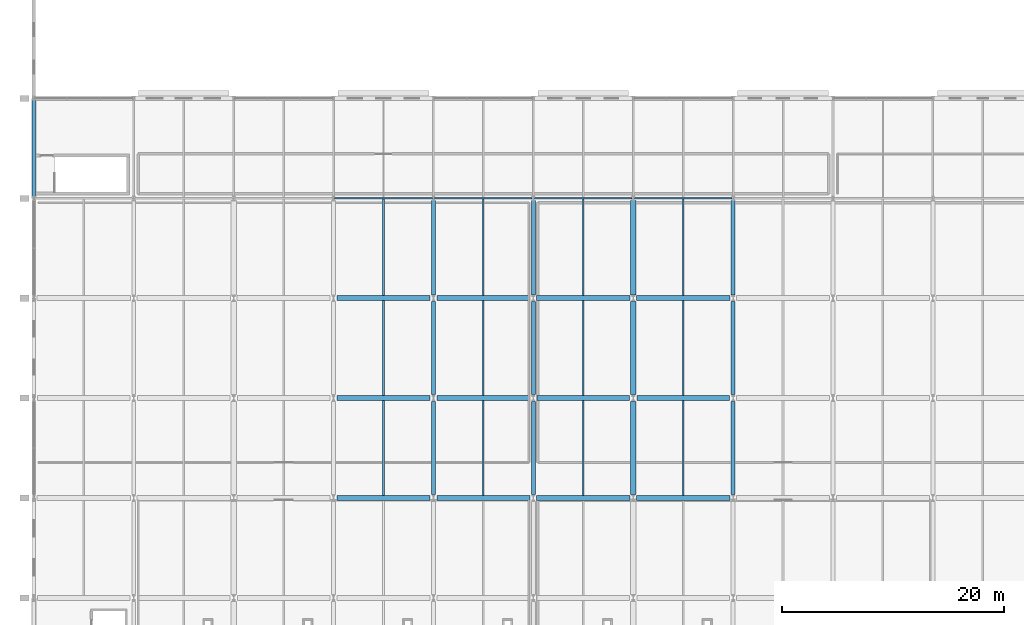
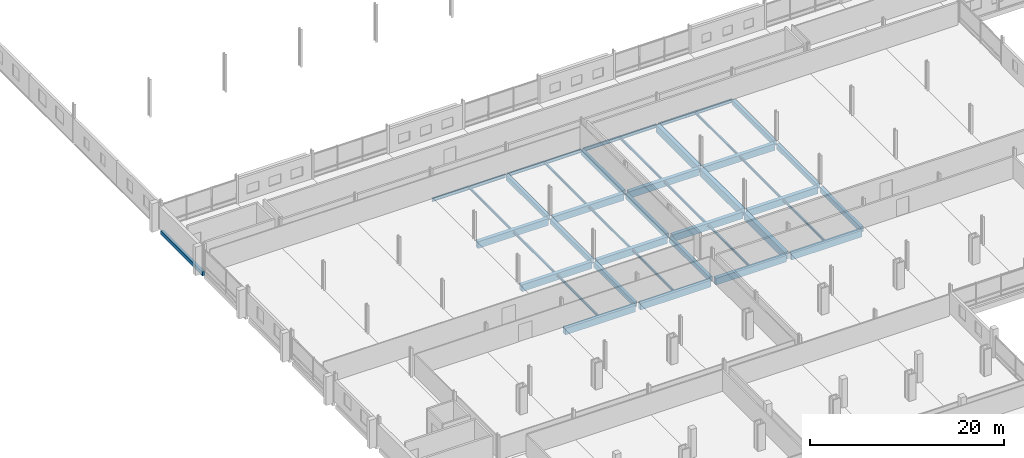
# One storey, part 46 of 132: 41 beams.
"""IFC4 building model written with IfcOpenShell, lengths in metres."""

import ifcopenshell
import ifcopenshell.guid

model = None  # the IFC model being written
_history = None  # IfcOwnerHistory: only IFC2X3 demands one
_inside = {}  # id of a spatial element -> (the spatial element, [elements in it])
_under = {}  # id of a project, library or spatial element -> (it, [spatial elements below it])
_declared = {}  # id of a project -> (the project, [libraries it declares])
_typed = {}  # id of a type object -> (the type object, [elements of that type])
_made_of = {}  # id of a material, layer set ... -> (it, [elements and type objects made of it])


def new_model(schema):
    """Start an empty IFC model of exactly this schema.

    Asked for "IFC4X3", IfcOpenShell would pick the latest addendum, in which some entities
    have other attributes; the version numbers below select the first issue.
    IFC2X3 requires an IfcOwnerHistory on every rooted entity: one is made here for all.
    """
    global model, _history
    if schema == "IFC4X3":
        model = ifcopenshell.file(schema_version=(4, 3, 0, 0))
    else:
        model = ifcopenshell.file(schema=schema)
    _inside.clear()
    _under.clear()
    _declared.clear()
    _typed.clear()
    _made_of.clear()
    _history = None
    if model.schema == "IFC2X3":
        org = make("IfcOrganization", Name="unknown")
        user = make(
            "IfcPersonAndOrganization",
            ThePerson=make("IfcPerson", FamilyName="unknown"),
            TheOrganization=org,
        )
        app = make(
            "IfcApplication",
            ApplicationDeveloper=org,
            Version="unknown",
            ApplicationFullName="unknown",
            ApplicationIdentifier="unknown",
        )
        _history = make(
            "IfcOwnerHistory",
            OwningUser=user,
            OwningApplication=app,
            ChangeAction="ADDED",
            CreationDate=0,
        )
    return model


def make(cls, **values):
    """One entity of the class cls with the attributes given. An attribute that is None is left unset."""
    return model.create_entity(
        cls, **{name: value for name, value in values.items() if value is not None}
    )


def rooted(cls, **values):
    """An entity with a GlobalId (a new one), such as an element, a storey or a relation."""
    return make(cls, GlobalId=ifcopenshell.guid.new(), OwnerHistory=_history, **values)


def si_unit(unit_type, name, prefix=None):
    """IfcSIUnit, for example si_unit("LENGTHUNIT", "METRE", prefix="MILLI")."""
    return make("IfcSIUnit", UnitType=unit_type, Prefix=prefix, Name=name)


def assignment(units):
    """IfcUnitAssignment: the units of a project."""
    return None if units is None else make("IfcUnitAssignment", Units=units)


def point(xyz):
    """IfcCartesianPoint."""
    return None if xyz is None else make("IfcCartesianPoint", Coordinates=xyz)


def direction(xyz):
    """IfcDirection."""
    return None if xyz is None else make("IfcDirection", DirectionRatios=xyz)


def frame(location, z_axis=None, x_axis=None):
    """IfcAxis2Placement3D, a coordinate frame: its origin and axes. An axis left out is left unset."""
    return make(
        "IfcAxis2Placement3D",
        Location=point(location),
        Axis=direction(z_axis),
        RefDirection=direction(x_axis),
    )


def frame_2d(location, x_axis=None):
    """IfcAxis2Placement2D, a coordinate frame in the plane: its origin and x axis."""
    return make(
        "IfcAxis2Placement2D", Location=point(location), RefDirection=direction(x_axis)
    )


def origin():
    """The frame at (0, 0, 0) with its axes left unset."""
    return frame((0.0, 0.0, 0.0))


def origin_2d():
    """The frame at (0, 0) in the plane with its x axis left unset."""
    return frame_2d((0.0, 0.0))


def place(relative_to, where):
    """IfcLocalPlacement: puts the frame where relative to a parent placement (None: the world)."""
    return make(
        "IfcLocalPlacement", PlacementRelTo=relative_to, RelativePlacement=where
    )


def context(
    kind, dimensions, precision=None, world=None, true_north=None, identifier=None
):
    """IfcGeometricRepresentationContext, for example the 3D "Model" context."""
    return make(
        "IfcGeometricRepresentationContext",
        ContextIdentifier=identifier,
        ContextType=kind,
        CoordinateSpaceDimension=dimensions,
        Precision=precision,
        WorldCoordinateSystem=world,
        TrueNorth=true_north,
    )


def subcontext(parent, identifier, kind, view, scale=None):
    """IfcGeometricRepresentationSubContext, for example "Body" below "Model"."""
    return make(
        "IfcGeometricRepresentationSubContext",
        ContextIdentifier=identifier,
        ContextType=kind,
        ParentContext=parent,
        TargetScale=scale,
        TargetView=view,
    )


def project(units=None, contexts=None):
    """IfcProject with its units and contexts."""
    return rooted(
        "IfcProject",
        Name="project",
        RepresentationContexts=contexts,
        UnitsInContext=assignment(units),
    )


def spatial(cls, under=None, at=None, **own):
    """A site, building, storey or space (cls), placed at a placement, below another one or the project."""
    s = rooted(cls, ObjectPlacement=at, **own)
    if under is not None:
        _under.setdefault(under.id(), (under, []))[1].append(s)
    return s


def profile(cls, at=None, kind="AREA", **sizes):
    """A parametric profile (cls). Its sizes go by their IFC names, for example OverallWidth=200.0."""
    return make(cls, ProfileType=kind, Position=at, **sizes)


def rectangle(**sizes):
    """IfcRectangleProfileDef."""
    return profile("IfcRectangleProfileDef", **sizes)


def i_section(**sizes):
    """IfcIShapeProfileDef."""
    return profile("IfcIShapeProfileDef", **sizes)


def extrude(swept, where, along, depth):
    """IfcExtrudedAreaSolid: the profile swept, set in the frame where, extruded along a direction by depth."""
    return make(
        "IfcExtrudedAreaSolid",
        SweptArea=swept,
        Position=where,
        ExtrudedDirection=direction(along),
        Depth=depth,
    )


def shape(context_of_items, identifier, shape_type, items):
    """IfcShapeRepresentation: the items that make up one representation, for example the "Body"."""
    return make(
        "IfcShapeRepresentation",
        ContextOfItems=context_of_items,
        RepresentationIdentifier=identifier,
        RepresentationType=shape_type,
        Items=items,
    )


def material(Name=None, Category=None):
    """IfcMaterial."""
    return make("IfcMaterial", Name=Name, Category=Category)


def material_profile(
    of_material, cross_section, Name=None, Category=None, Priority=None
):
    """IfcMaterialProfile: a cross section and its material."""
    return make(
        "IfcMaterialProfile",
        Name=Name,
        Material=of_material,
        Profile=cross_section,
        Priority=Priority,
        Category=Category,
    )


def profile_set(profiles, Name=None, composite=None):
    """IfcMaterialProfileSet."""
    return make(
        "IfcMaterialProfileSet",
        Name=Name,
        MaterialProfiles=profiles,
        CompositeProfile=composite,
    )


def made_of(thing, what):
    """Note that an element or type object is made of a material, layer set ...; save() writes the relation."""
    if what is not None:
        _made_of.setdefault(what.id(), (what, []))[1].append(thing)
    return thing


def type_object(cls, material=None, **own):
    """A type object (cls), such as IfcWallType, which elements share."""
    return made_of(rooted(cls, **own), material)


def element(
    cls,
    number,
    at=None,
    inside=None,
    cuts=None,
    type_object=None,
    material=None,
    context=None,
    identifier="Body",
    shape_type=None,
    held_by="IfcProductDefinitionShape",
    body=None,
    shapes=None,
    **own,
):
    """One element of the class cls, such as IfcWall. Its Tag is "e" and its number.

    at: its placement. inside: the storey or other place that contains it. cuts: it is an
    opening in that element (IfcRelVoidsElement). A single representation is given by context,
    identifier, shape_type and body (its items); several are given by shapes. held_by: the class
    of the entity that holds the representations. save() writes the other relations.
    """
    e = rooted(cls, Tag="e%d" % number, ObjectPlacement=at, **own)
    if body is not None:
        shapes = [shape(context, identifier, shape_type, body)]
    if shapes is not None:
        e.Representation = make(held_by, Representations=shapes)
    if inside is not None:
        _inside.setdefault(inside.id(), (inside, []))[1].append(e)
    if cuts is not None:
        rooted(
            "IfcRelVoidsElement", RelatingBuildingElement=cuts, RelatedOpeningElement=e
        )
    if type_object is not None:
        _typed.setdefault(type_object.id(), (type_object, []))[1].append(e)
    return made_of(e, material)


def aggregate(whole, parts):
    """IfcRelAggregates: a whole, such as a stair, and the parts it consists of."""
    return rooted("IfcRelAggregates", RelatingObject=whole, RelatedObjects=parts)


def save(model, path):
    """Write the relations noted so far, then the file.

    IfcRelAggregates (storeys below a building ...), IfcRelContainedInSpatialStructure (elements
    in a storey), IfcRelDefinesByType, IfcRelAssociatesMaterial and IfcRelDeclares: one each for
    every whole, place, type object, material and project.
    """
    for whole, parts in _under.values():
        aggregate(whole, parts)
    for where, things in _inside.values():
        rooted(
            "IfcRelContainedInSpatialStructure",
            RelatedElements=things,
            RelatingStructure=where,
        )
    for kind, things in _typed.values():
        rooted("IfcRelDefinesByType", RelatedObjects=things, RelatingType=kind)
    for what, things in _made_of.values():
        rooted("IfcRelAssociatesMaterial", RelatedObjects=things, RelatingMaterial=what)
    for by, libraries in _declared.values():
        rooted("IfcRelDeclares", RelatingContext=by, RelatedDefinitions=libraries)
    model.write(path)


model = new_model("IFC4")

# Units and contexts
model_context = context("Model", 3, precision=1e-05, world=origin(), true_north=direction((0.0, 1.0)))
body_context = subcontext(model_context, "Body", "Model", "MODEL_VIEW")
ifc_project = project(units=[si_unit("LENGTHUNIT", "METRE"), si_unit("AREAUNIT", "SQUARE_METRE"), si_unit("VOLUMEUNIT", "CUBIC_METRE"), si_unit("PLANEANGLEUNIT", "RADIAN"), si_unit("MASSUNIT", "GRAM", prefix="KILO")], contexts=[model_context])

# Site, building, storey
site_placement = place(None, origin())
site = spatial("IfcSite", under=ifc_project, at=site_placement, CompositionType="ELEMENT")
building_placement = place(site_placement, origin())
building = spatial("IfcBuilding", under=site, at=building_placement, Name="Tharagai Park Tramway Depot", CompositionType="ELEMENT")
storey_placement = place(building_placement, frame((0.0, 0.0, 4.800048828125)))
storey = spatial("IfcBuildingStorey", under=building, at=storey_placement, Name="L01", CompositionType="ELEMENT", Elevation=4.800048828125)

# Beams
ifc_material_1 = material(Name="Steel E350", Category="steel")
ifc_material_profile_1 = material_profile(ifc_material_1, i_section(OverallWidth=0.14990234375, OverallDepth=0.449951171875, WebThickness=0.009521484375, FlangeThickness=0.017333984375, FilletRadius=0.014892578125, at=origin_2d()), Name="ISMB 450")
ifc_profile_set_1 = profile_set([ifc_material_profile_1], Name="Steel E350")
beam_type_1 = type_object("IfcBeamType", Name="BM-02", PredefinedType="BEAM", material=ifc_profile_set_1)
for number, where, z_axis, x_axis, name in (
    (1, (27.10009765625, 90.0, -0.505126953125), (1.0, 0.0, 0.0), (0.0, 1.0, 0.0), "L01 Grid Beam BM-02"),
    (2, (36.10009765625, 90.0, -0.505126953125), (1.0, 0.0, 0.0), (0.0, 1.0, 0.0), "L01 Grid Beam BM-02"),
    (3, (45.10009765625, 90.0, -0.505126953125), (1.0, 0.0, 0.0), (0.0, 1.0, 0.0), "L01 Grid Beam BM-02"),
    (4, (54.10009765625, 90.0, -0.505126953125), (1.0, 0.0, 0.0), (0.0, 1.0, 0.0), "L01 Grid Beam BM-02"),
):
    element("IfcBeam", number, at=place(storey_placement, frame(where, z_axis=z_axis, x_axis=x_axis)), inside=storey, type_object=beam_type_1, Name=name, PredefinedType="BEAM", context=body_context, shape_type="SweptSolid", body=[
        extrude(i_section(OverallWidth=0.14990234375, OverallDepth=0.449951171875, WebThickness=0.009521484375, FlangeThickness=0.017333984375, FilletRadius=0.014892578125, at=origin_2d()), origin(), (0.0, 0.0, 1.0), 8.7998046875),
    ])
ifc_material_2 = material(Name="Concrete M35", Category="concrete")
ifc_material_profile_2 = material_profile(ifc_material_2, rectangle(XDim=0.449951171875, YDim=0.85009765625, at=origin_2d()), Name="RC 450x850")
ifc_profile_set_2 = profile_set([ifc_material_profile_2], Name="Concrete M35")
beam_type_2 = type_object("IfcBeamType", Name="BM-03", PredefinedType="BEAM", material=ifc_profile_set_2)
for number, where, z_axis, x_axis, name in (
    (5, (27.300048828125, 63.0, -0.705078125), (1.0, 0.0, 0.0), (0.0, 1.0, 0.0), "L01 Grid Beam BM-03"),
    (6, (36.300048828125, 63.0, -0.705078125), (1.0, 0.0, 0.0), (0.0, 1.0, 0.0), "L01 Grid Beam BM-03"),
    (7, (45.300048828125, 63.0, -0.705078125), (1.0, 0.0, 0.0), (0.0, 1.0, 0.0), "L01 Grid Beam BM-03"),
    (8, (54.300048828125, 63.0, -0.705078125), (1.0, 0.0, 0.0), (0.0, 1.0, 0.0), "L01 Grid Beam BM-03"),
):
    element("IfcBeam", number, at=place(storey_placement, frame(where, z_axis=z_axis, x_axis=x_axis)), inside=storey, type_object=beam_type_2, Name=name, PredefinedType="BEAM", context=body_context, shape_type="SweptSolid", body=[
        extrude(rectangle(XDim=0.449951171875, YDim=0.85009765625, at=origin_2d()), origin(), (0.0, 0.0, 1.0), 8.39990234375),
    ])
for number, where, z_axis, x_axis, name in (
    (9, (27.324951171875, 72.0, -0.705078125), (1.0, 0.0, 0.0), (0.0, 1.0, 0.0), "L01 Grid Beam BM-03"),
    (10, (36.324951171875, 72.0, -0.705078125), (1.0, 0.0, 0.0), (0.0, 1.0, 0.0), "L01 Grid Beam BM-03"),
    (11, (45.324951171875, 72.0, -0.705078125), (1.0, 0.0, 0.0), (0.0, 1.0, 0.0), "L01 Grid Beam BM-03"),
    (12, (54.324951171875, 72.0, -0.705078125), (1.0, 0.0, 0.0), (0.0, 1.0, 0.0), "L01 Grid Beam BM-03"),
):
    element("IfcBeam", number, at=place(storey_placement, frame(where, z_axis=z_axis, x_axis=x_axis)), inside=storey, type_object=beam_type_2, Name=name, PredefinedType="BEAM", context=body_context, shape_type="SweptSolid", body=[
        extrude(rectangle(XDim=0.449951171875, YDim=0.85009765625, at=origin_2d()), origin(), (0.0, 0.0, 1.0), 8.35009765625),
    ])
for number, where, z_axis, x_axis, name in (
    (13, (27.300048828125, 81.0, -0.705078125), (1.0, 0.0, 0.0), (0.0, 1.0, 0.0), "L01 Grid Beam BM-03"),
    (14, (36.300048828125, 81.0, -0.705078125), (1.0, 0.0, 0.0), (0.0, 1.0, 0.0), "L01 Grid Beam BM-03"),
    (15, (45.300048828125, 81.0, -0.705078125), (1.0, 0.0, 0.0), (0.0, 1.0, 0.0), "L01 Grid Beam BM-03"),
    (16, (54.300048828125, 81.0, -0.705078125), (1.0, 0.0, 0.0), (0.0, 1.0, 0.0), "L01 Grid Beam BM-03"),
):
    element("IfcBeam", number, at=place(storey_placement, frame(where, z_axis=z_axis, x_axis=x_axis)), inside=storey, type_object=beam_type_2, Name=name, PredefinedType="BEAM", context=body_context, shape_type="SweptSolid", body=[
        extrude(rectangle(XDim=0.449951171875, YDim=0.85009765625, at=origin_2d()), origin(), (0.0, 0.0, 1.0), 8.39990234375),
    ])
ifc_material_3 = material(Name="Concrete M40", Category="concrete")
ifc_material_profile_3 = material_profile(ifc_material_3, rectangle(XDim=0.5, YDim=0.949951171875, at=origin_2d()), Name="RC 500x950")
ifc_profile_set_3 = profile_set([ifc_material_profile_3], Name="Concrete M40")
beam_type_3 = type_object("IfcBeamType", Name="BM-07", PredefinedType="BEAM", material=ifc_profile_set_3)
for number, where, z_axis, x_axis, name in (
    (17, (54.0, 63.300048828125, -0.755126953125), (0.0, 1.0, 0.0), (-1.0, 0.0, 0.0), "L01 Grid Beam BM-07"),
    (18, (54.0, 72.324951171875, -0.755126953125), (0.0, 1.0, 0.0), (-1.0, 0.0, 0.0), "L01 Grid Beam BM-07"),
):
    element("IfcBeam", number, at=place(storey_placement, frame(where, z_axis=z_axis, x_axis=x_axis)), inside=storey, type_object=beam_type_3, Name=name, PredefinedType="BEAM", context=body_context, shape_type="SweptSolid", body=[
        extrude(rectangle(XDim=0.5, YDim=0.949951171875, at=origin_2d()), origin(), (0.0, 0.0, 1.0), 8.375),
    ])
beam_1_placement = place(storey_placement, frame((54.0, 81.300048828125, -0.755126953125), z_axis=(0.0, 1.0, 0.0), x_axis=(-1.0, 0.0, 0.0)))
element("IfcBeam", 19, at=beam_1_placement, inside=storey, type_object=beam_type_3, Name="L01 Grid Beam BM-07", PredefinedType="BEAM", context=body_context, shape_type="SweptSolid", body=[
    extrude(rectangle(XDim=0.5, YDim=0.949951171875, at=origin_2d()), origin(), (0.0, 0.0, 1.0), 8.52490234375),
])
ifc_material_profile_4 = material_profile(ifc_material_2, rectangle(XDim=0.35009765625, YDim=0.64990234375, at=origin_2d()), Name="RC 350x650")
ifc_profile_set_4 = profile_set([ifc_material_profile_4], Name="Concrete M35")
beam_type_4 = type_object("IfcBeamType", Name="BM-13", PredefinedType="BEAM", material=ifc_profile_set_4)
for number, where, z_axis, x_axis, name in (
    (20, (36.0, 63.300048828125, -0.60498046875), (0.0, 1.0, 0.0), (-1.0, 0.0, 0.0), "L01 Grid Beam BM-13"),
    (21, (36.0, 72.324951171875, -0.60498046875), (0.0, 1.0, 0.0), (-1.0, 0.0, 0.0), "L01 Grid Beam BM-13"),
):
    element("IfcBeam", number, at=place(storey_placement, frame(where, z_axis=z_axis, x_axis=x_axis)), inside=storey, type_object=beam_type_4, Name=name, PredefinedType="BEAM", context=body_context, shape_type="SweptSolid", body=[
        extrude(rectangle(XDim=0.35009765625, YDim=0.64990234375, at=origin_2d()), origin(), (0.0, 0.0, 1.0), 8.375),
    ])
beam_2_placement = place(storey_placement, frame((36.0, 81.300048828125, -0.60498046875), z_axis=(0.0, 1.0, 0.0), x_axis=(-1.0, 0.0, 0.0)))
element("IfcBeam", 22, at=beam_2_placement, inside=storey, type_object=beam_type_4, Name="L01 Grid Beam BM-13", PredefinedType="BEAM", context=body_context, shape_type="SweptSolid", body=[
    extrude(rectangle(XDim=0.35009765625, YDim=0.64990234375, at=origin_2d()), origin(), (0.0, 0.0, 1.0), 8.52490234375),
])
for number, where, z_axis, x_axis, name in (
    (23, (45.0, 63.300048828125, -0.60498046875), (0.0, 1.0, 0.0), (-1.0, 0.0, 0.0), "L01 Grid Beam BM-13"),
    (24, (45.0, 72.324951171875, -0.60498046875), (0.0, 1.0, 0.0), (-1.0, 0.0, 0.0), "L01 Grid Beam BM-13"),
):
    element("IfcBeam", number, at=place(storey_placement, frame(where, z_axis=z_axis, x_axis=x_axis)), inside=storey, type_object=beam_type_4, Name=name, PredefinedType="BEAM", context=body_context, shape_type="SweptSolid", body=[
        extrude(rectangle(XDim=0.35009765625, YDim=0.64990234375, at=origin_2d()), origin(), (0.0, 0.0, 1.0), 8.375),
    ])
beam_3_placement = place(storey_placement, frame((45.0, 81.300048828125, -0.60498046875), z_axis=(0.0, 1.0, 0.0), x_axis=(-1.0, 0.0, 0.0)))
element("IfcBeam", 25, at=beam_3_placement, inside=storey, type_object=beam_type_4, Name="L01 Grid Beam BM-13", PredefinedType="BEAM", context=body_context, shape_type="SweptSolid", body=[
    extrude(rectangle(XDim=0.35009765625, YDim=0.64990234375, at=origin_2d()), origin(), (0.0, 0.0, 1.0), 8.52490234375),
])
for number, where, z_axis, x_axis, name in (
    (26, (63.0, 63.300048828125, -0.60498046875), (0.0, 1.0, 0.0), (-1.0, 0.0, 0.0), "L01 Grid Beam BM-13"),
    (27, (63.0, 72.324951171875, -0.60498046875), (0.0, 1.0, 0.0), (-1.0, 0.0, 0.0), "L01 Grid Beam BM-13"),
):
    element("IfcBeam", number, at=place(storey_placement, frame(where, z_axis=z_axis, x_axis=x_axis)), inside=storey, type_object=beam_type_4, Name=name, PredefinedType="BEAM", context=body_context, shape_type="SweptSolid", body=[
        extrude(rectangle(XDim=0.35009765625, YDim=0.64990234375, at=origin_2d()), origin(), (0.0, 0.0, 1.0), 8.375),
    ])
beam_4_placement = place(storey_placement, frame((63.0, 81.300048828125, -0.60498046875), z_axis=(0.0, 1.0, 0.0), x_axis=(-1.0, 0.0, 0.0)))
element("IfcBeam", 28, at=beam_4_placement, inside=storey, type_object=beam_type_4, Name="L01 Grid Beam BM-13", PredefinedType="BEAM", context=body_context, shape_type="SweptSolid", body=[
    extrude(rectangle(XDim=0.35009765625, YDim=0.64990234375, at=origin_2d()), origin(), (0.0, 0.0, 1.0), 8.52490234375),
])
ifc_material_profile_5 = material_profile(ifc_material_1, i_section(OverallWidth=0.139892578125, OverallDepth=0.300048828125, WebThickness=0.0078125, FlangeThickness=0.01318359375, FilletRadius=0.013916015625, at=origin_2d()), Name="ISMB 300")
ifc_profile_set_5 = profile_set([ifc_material_profile_5], Name="Steel E350")
beam_type_5 = type_object("IfcBeamType", Name="JT-03", PredefinedType="JOIST", material=ifc_profile_set_5)
for number, where, z_axis, x_axis, name in (
    (29, (40.5, 63.22509765625, -0.429931640625), (0.0, 1.0, 0.0), (-1.0, 0.0, 0.0), "L01 Secondary Joist JT-03"),
    (30, (40.5, 72.22509765625, -0.429931640625), (0.0, 1.0, 0.0), (-1.0, 0.0, 0.0), "L01 Secondary Joist JT-03"),
):
    element("IfcBeam", number, at=place(storey_placement, frame(where, z_axis=z_axis, x_axis=x_axis)), inside=storey, type_object=beam_type_5, Name=name, PredefinedType="JOIST", context=body_context, shape_type="SweptSolid", body=[
        extrude(i_section(OverallWidth=0.139892578125, OverallDepth=0.300048828125, WebThickness=0.0078125, FlangeThickness=0.01318359375, FilletRadius=0.013916015625, at=origin_2d()), origin(), (0.0, 0.0, 1.0), 8.5498046875),
    ])
beam_5_placement = place(storey_placement, frame((40.5, 81.22509765625, -0.429931640625), z_axis=(0.0, 1.0, 0.0), x_axis=(-1.0, 0.0, 0.0)))
element("IfcBeam", 31, at=beam_5_placement, inside=storey, type_object=beam_type_5, Name="L01 Secondary Joist JT-03", PredefinedType="JOIST", context=body_context, shape_type="SweptSolid", body=[
    extrude(i_section(OverallWidth=0.139892578125, OverallDepth=0.300048828125, WebThickness=0.0078125, FlangeThickness=0.01318359375, FilletRadius=0.013916015625, at=origin_2d()), origin(), (0.0, 0.0, 1.0), 8.699951171875),
])
for number, where, z_axis, x_axis, name in (
    (32, (58.5, 63.22509765625, -0.429931640625), (0.0, 1.0, 0.0), (-1.0, 0.0, 0.0), "L01 Secondary Joist JT-03"),
    (33, (58.5, 72.22509765625, -0.429931640625), (0.0, 1.0, 0.0), (-1.0, 0.0, 0.0), "L01 Secondary Joist JT-03"),
):
    element("IfcBeam", number, at=place(storey_placement, frame(where, z_axis=z_axis, x_axis=x_axis)), inside=storey, type_object=beam_type_5, Name=name, PredefinedType="JOIST", context=body_context, shape_type="SweptSolid", body=[
        extrude(i_section(OverallWidth=0.139892578125, OverallDepth=0.300048828125, WebThickness=0.0078125, FlangeThickness=0.01318359375, FilletRadius=0.013916015625, at=origin_2d()), origin(), (0.0, 0.0, 1.0), 8.5498046875),
    ])
beam_6_placement = place(storey_placement, frame((58.5, 81.22509765625, -0.429931640625), z_axis=(0.0, 1.0, 0.0), x_axis=(-1.0, 0.0, 0.0)))
element("IfcBeam", 34, at=beam_6_placement, inside=storey, type_object=beam_type_5, Name="L01 Secondary Joist JT-03", PredefinedType="JOIST", context=body_context, shape_type="SweptSolid", body=[
    extrude(i_section(OverallWidth=0.139892578125, OverallDepth=0.300048828125, WebThickness=0.0078125, FlangeThickness=0.01318359375, FilletRadius=0.013916015625, at=origin_2d()), origin(), (0.0, 0.0, 1.0), 8.699951171875),
])
ifc_material_profile_6 = material_profile(ifc_material_1, i_section(OverallWidth=0.14990234375, OverallDepth=0.300048828125, WebThickness=0.006591796875, FlangeThickness=0.009521484375, FilletRadius=0.011962890625, at=origin_2d()), Name="ISLB 300")
ifc_profile_set_6 = profile_set([ifc_material_profile_6], Name="Steel E350")
beam_type_6 = type_object("IfcBeamType", Name="JT-07", PredefinedType="JOIST", material=ifc_profile_set_6)
for number, where, z_axis, x_axis, name in (
    (35, (31.5, 63.22509765625, -0.429931640625), (0.0, 1.0, 0.0), (-1.0, 0.0, 0.0), "L01 Secondary Joist JT-07"),
    (36, (31.5, 72.22509765625, -0.429931640625), (0.0, 1.0, 0.0), (-1.0, 0.0, 0.0), "L01 Secondary Joist JT-07"),
):
    element("IfcBeam", number, at=place(storey_placement, frame(where, z_axis=z_axis, x_axis=x_axis)), inside=storey, type_object=beam_type_6, Name=name, PredefinedType="JOIST", context=body_context, shape_type="SweptSolid", body=[
        extrude(i_section(OverallWidth=0.14990234375, OverallDepth=0.300048828125, WebThickness=0.006591796875, FlangeThickness=0.009521484375, FilletRadius=0.011962890625, at=origin_2d()), origin(), (0.0, 0.0, 1.0), 8.5498046875),
    ])
beam_7_placement = place(storey_placement, frame((31.5, 81.22509765625, -0.429931640625), z_axis=(0.0, 1.0, 0.0), x_axis=(-1.0, 0.0, 0.0)))
element("IfcBeam", 37, at=beam_7_placement, inside=storey, type_object=beam_type_6, Name="L01 Secondary Joist JT-07", PredefinedType="JOIST", context=body_context, shape_type="SweptSolid", body=[
    extrude(i_section(OverallWidth=0.14990234375, OverallDepth=0.300048828125, WebThickness=0.006591796875, FlangeThickness=0.009521484375, FilletRadius=0.011962890625, at=origin_2d()), origin(), (0.0, 0.0, 1.0), 8.699951171875),
])
for number, where, z_axis, x_axis, name in (
    (38, (49.5, 63.22509765625, -0.429931640625), (0.0, 1.0, 0.0), (-1.0, 0.0, 0.0), "L01 Secondary Joist JT-07"),
    (39, (49.5, 72.22509765625, -0.429931640625), (0.0, 1.0, 0.0), (-1.0, 0.0, 0.0), "L01 Secondary Joist JT-07"),
):
    element("IfcBeam", number, at=place(storey_placement, frame(where, z_axis=z_axis, x_axis=x_axis)), inside=storey, type_object=beam_type_6, Name=name, PredefinedType="JOIST", context=body_context, shape_type="SweptSolid", body=[
        extrude(i_section(OverallWidth=0.14990234375, OverallDepth=0.300048828125, WebThickness=0.006591796875, FlangeThickness=0.009521484375, FilletRadius=0.011962890625, at=origin_2d()), origin(), (0.0, 0.0, 1.0), 8.5498046875),
    ])
beam_8_placement = place(storey_placement, frame((49.5, 81.22509765625, -0.429931640625), z_axis=(0.0, 1.0, 0.0), x_axis=(-1.0, 0.0, 0.0)))
element("IfcBeam", 40, at=beam_8_placement, inside=storey, type_object=beam_type_6, Name="L01 Secondary Joist JT-07", PredefinedType="JOIST", context=body_context, shape_type="SweptSolid", body=[
    extrude(i_section(OverallWidth=0.14990234375, OverallDepth=0.300048828125, WebThickness=0.006591796875, FlangeThickness=0.009521484375, FilletRadius=0.011962890625, at=origin_2d()), origin(), (0.0, 0.0, 1.0), 8.699951171875),
])
ifc_material_profile_7 = material_profile(ifc_material_2, rectangle(XDim=0.300048828125, YDim=0.5, at=origin_2d()), Name="RC 300x500")
ifc_profile_set_7 = profile_set([ifc_material_profile_7], Name="Concrete M35")
beam_type_7 = type_object("IfcBeamType", Name="SP-03", PredefinedType="SPANDREL", material=ifc_profile_set_7)
beam_9_placement = place(storey_placement, frame((0.0, 90.175048828125, -0.429931640625), z_axis=(0.0, 1.0, 0.0), x_axis=(-1.0, 0.0, 0.0)))
element("IfcBeam", 41, at=beam_9_placement, inside=storey, type_object=beam_type_7, Name="L01 Grid Beam SP-03", PredefinedType="SPANDREL", context=body_context, shape_type="SweptSolid", body=[
    extrude(rectangle(XDim=0.300048828125, YDim=0.5, at=origin_2d()), origin(), (0.0, 0.0, 1.0), 8.675048828125),
])

save(model, "model.ifc")
